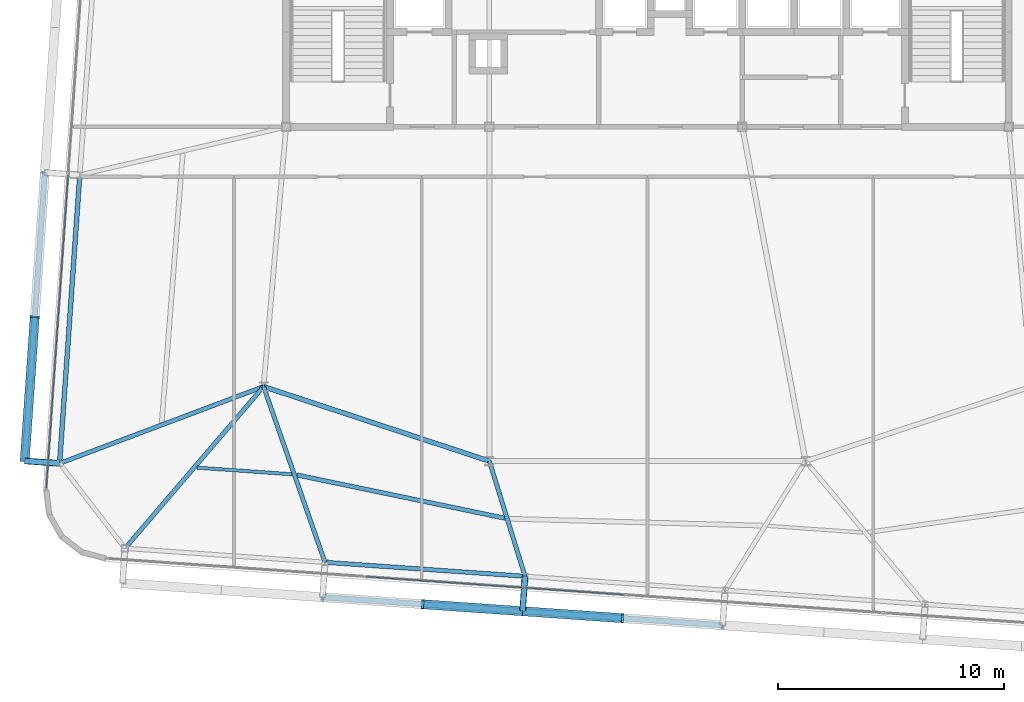
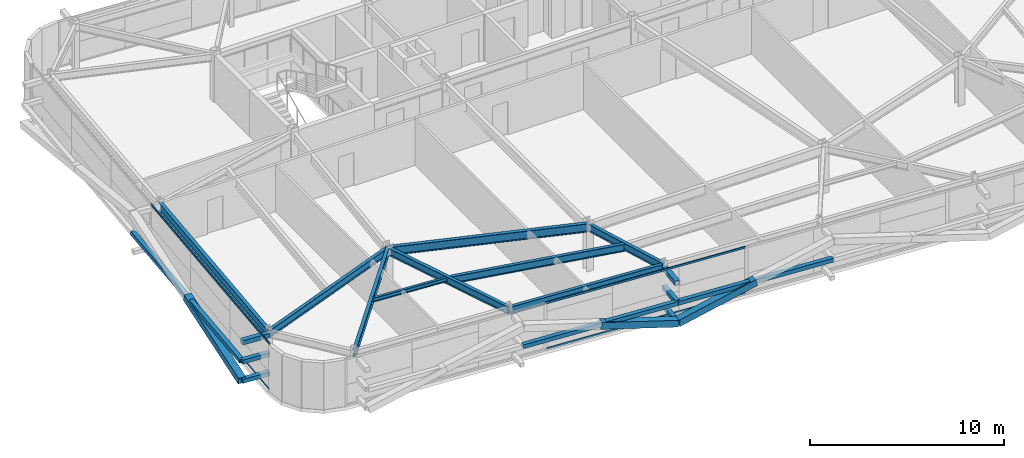
# One storey, part 8 of 39: 16 members, 9 beams, 2 elements without a shape of their own.
"""IFC4 building model written with IfcOpenShell, lengths in metres."""

from ifc_helpers import new_model, si_unit, direction, frame, origin, origin_2d, place, context, subcontext, project, spatial, hollow_rectangle, i_section, extrude, source, transform, mapped, material, layer, layer_set, material_profile, profile_set, type_object, element, aggregate, save


model = new_model("IFC4")

# Units and contexts
model_context = context("Model", 3, precision=1e-05, world=origin(), true_north=direction((0.0, 1.0)))
body_context = subcontext(model_context, "Body", "Model", "MODEL_VIEW")
ifc_project = project(units=[si_unit("LENGTHUNIT", "METRE"), si_unit("AREAUNIT", "SQUARE_METRE"), si_unit("VOLUMEUNIT", "CUBIC_METRE"), si_unit("PLANEANGLEUNIT", "RADIAN"), si_unit("MASSUNIT", "GRAM", prefix="KILO")], contexts=[model_context])

# Site, building, storey
site_placement = place(None, origin())
site = spatial("IfcSite", under=ifc_project, at=site_placement, CompositionType="ELEMENT")
building_placement = place(site_placement, origin())
building = spatial("IfcBuilding", under=site, at=building_placement, Name="Taldren Reach Tower", CompositionType="ELEMENT")
storey_placement = place(building_placement, frame((0.0, 0.0, 145.60009765625)))
storey = spatial("IfcBuildingStorey", under=building, at=storey_placement, Name="L44", CompositionType="ELEMENT", Elevation=145.60009765625)

# Beam
ifc_material_1 = material(Name="Steel Gr 350 (350PLUS)", Category="steel")
ifc_material_profile_1 = material_profile(ifc_material_1, i_section(OverallWidth=0.208984375, OverallDepth=0.532958984375, WebThickness=0.01025390625, FlangeThickness=0.015625, at=origin_2d()), Name="530UB92.4")
ifc_profile_set_1 = profile_set([ifc_material_profile_1], Name="Steel Gr 350 (350PLUS)")
beam_type_1 = type_object("IfcBeamType", Name="BM-UB530A", PredefinedType="BEAM", material=ifc_profile_set_1)
shared_shape_1 = source(origin(), body_context, "Body", "SweptSolid", [
    extrude(i_section(OverallWidth=0.208984375, OverallDepth=0.532958984375, WebThickness=0.01025390625, FlangeThickness=0.015625, at=origin_2d()), origin(), (0.0, 0.0, 1.0), 10.530517578125),
])
beam_1_placement = place(storey_placement, frame((18.0, 12.5, 2.663330078125), z_axis=(0.949627269203, -0.313381635689, 0.0), x_axis=(0.313381635689, 0.949627269203, 0.0)))
element("IfcBeam", 1, at=beam_1_placement, inside=storey, type_object=beam_type_1, Name="Core-spine girder L44-SP10", PredefinedType="BEAM", context=body_context, shape_type="MappedRepresentation", body=[
    mapped(shared_shape_1, transform((0.0, 0.0, 0.0), scale=1.0)),
])

# Members
ifc_material_2 = material(Name="Steel Gr 450 (C450L0)", Category="steel")
ifc_material_profile_2 = material_profile(ifc_material_2, hollow_rectangle(XDim=0.27490234375, YDim=0.27490234375, WallThickness=0.00927734375, at=origin_2d()), Name="275x275x9.3SHS")
ifc_profile_set_2 = profile_set([ifc_material_profile_2], Name="Steel Gr 450 (C450L0)")
member_type_1 = type_object("IfcMemberType", Name="MB-TIE273", PredefinedType="STRUT", material=ifc_profile_set_2)
shared_shape_2 = source(origin(), body_context, "Body", "SweptSolid", [
    extrude(hollow_rectangle(XDim=0.27490234375, YDim=0.27490234375, WallThickness=0.00927734375, at=origin_2d()), origin(), (0.0, 0.0, 1.0), 1.5498046875),
])
member_1_placement = place(storey_placement, frame((8.96875, 9.099609375, 2.64990234375), z_axis=(-0.997573320145, 0.069623781384, 0.0), x_axis=(-0.069623781384, -0.997573320145, 0.0)))
element("IfcMember", 2, at=member_1_placement, inside=storey, type_object=member_type_1, Name="Exoskeleton diaphragm tie strut B3-W1 L44", PredefinedType="STRUT", context=body_context, shape_type="MappedRepresentation", body=[
    mapped(shared_shape_2, transform((0.0, 0.0, 0.0), scale=1.0)),
])
ifc_material_3 = material(Name="Steel Gr 350 (C350L0)", Category="steel")
ifc_material_profile_3 = material_profile(ifc_material_3, hollow_rectangle(XDim=0.25, YDim=0.25, WallThickness=0.010009765625, at=origin_2d()), Name="250x250x10.0SHS")
ifc_profile_set_3 = profile_set([ifc_material_profile_3], Name="Steel Gr 350 (C350L0)")
member_type_2 = type_object("IfcMemberType", Name="MB-POST250", PredefinedType="POST", material=ifc_profile_set_3)
shared_shape_3 = source(origin(), body_context, "Body", "SweptSolid", [
    extrude(hollow_rectangle(XDim=0.25, YDim=0.25, WallThickness=0.010009765625, at=origin_2d()), origin(), (0.0, 0.0, 1.0), 1.5498046875),
])
for number, where, z_axis, x_axis, name in (
    (3, (8.96875, 9.099609375, 0.219970703125), (-0.997573320145, 0.069623781384, 0.0), (-0.069623781384, -0.997573320145, 0.0), "Exoskeleton base diaphragm tie strut B3-W1 L44"),
    (4, (8.96875, 9.099609375, 1.434814453125), (-0.997573320145, 0.069623781384, 0.0), (-0.069623781384, -0.997573320145, 0.0), "Exoskeleton mid-tier diaphragm tie B3-W1 L44"),
):
    element("IfcMember", number, at=place(storey_placement, frame(where, z_axis=z_axis, x_axis=x_axis)), inside=storey, type_object=member_type_2, Name=name, PredefinedType="POST", context=body_context, shape_type="MappedRepresentation", body=[
        mapped(shared_shape_3, transform((0.0, 0.0, 0.0), scale=1.0)),
    ])
shared_shape_4 = source(origin(), body_context, "Body", "SweptSolid", [
    extrude(hollow_rectangle(XDim=0.27490234375, YDim=0.27490234375, WallThickness=0.00927734375, at=origin_2d()), origin(), (0.0, 0.0, 1.0), 1.550048828125),
])
member_2_placement = place(storey_placement, frame((29.580322265625, 4.099609375, 2.64990234375), z_axis=(-0.06976957191, -0.99756313426, 0.0), x_axis=(0.99756313426, -0.06976957191, 0.0)))
element("IfcMember", 5, at=member_2_placement, inside=storey, type_object=member_type_1, Name="Exoskeleton diaphragm tie strut B3-S3 L44", PredefinedType="STRUT", context=body_context, shape_type="MappedRepresentation", body=[
    mapped(shared_shape_4, transform((0.0, 0.0, 0.0), scale=1.0)),
])
shared_shape_5 = source(origin(), body_context, "Body", "SweptSolid", [
    extrude(hollow_rectangle(XDim=0.25, YDim=0.25, WallThickness=0.010009765625, at=origin_2d()), origin(), (0.0, 0.0, 1.0), 1.550048828125),
])
for number, where, z_axis, x_axis, name in (
    (6, (29.580322265625, 4.099609375, 0.219970703125), (-0.06976957191, -0.99756313426, 0.0), (0.99756313426, -0.06976957191, 0.0), "Exoskeleton base diaphragm tie strut B3-S3 L44"),
    (7, (29.580322265625, 4.099609375, 1.434814453125), (-0.06976957191, -0.99756313426, 0.0), (0.99756313426, -0.06976957191, 0.0), "Exoskeleton mid-tier diaphragm tie B3-S3 L44"),
):
    element("IfcMember", number, at=place(storey_placement, frame(where, z_axis=z_axis, x_axis=x_axis)), inside=storey, type_object=member_type_2, Name=name, PredefinedType="POST", context=body_context, shape_type="MappedRepresentation", body=[
        mapped(shared_shape_5, transform((0.0, 0.0, 0.0), scale=1.0)),
    ])

# Beams
ifc_material_profile_4 = material_profile(ifc_material_1, i_section(OverallWidth=0.18994140625, OverallDepth=0.4541015625, WebThickness=0.008544921875, FlangeThickness=0.0126953125, at=origin_2d()), Name="460UB67.1")
ifc_profile_set_4 = profile_set([ifc_material_profile_4], Name="Steel Gr 350 (350PLUS)")
beam_type_2 = type_object("IfcBeamType", Name="SP-UB460B", PredefinedType="SPANDREL", material=ifc_profile_set_4)
shared_shape_6 = source(origin(), body_context, "Body", "SweptSolid", [
    extrude(i_section(OverallWidth=0.18994140625, OverallDepth=0.4541015625, WebThickness=0.008544921875, FlangeThickness=0.0126953125, at=origin_2d()), origin(), (0.0, 0.0, 1.0), 8.880126953125),
])
beam_2_placement = place(storey_placement, frame((20.721923828125, 4.718994140625, 2.702880859375), z_axis=(0.997564479639, -0.069750333063, 0.0), x_axis=(0.069750333063, 0.997564479639, 0.0)))
element("IfcBeam", 8, at=beam_2_placement, inside=storey, type_object=beam_type_2, Name="Perimeter spandrel B3 S2-S3 L44", PredefinedType="SPANDREL", context=body_context, shape_type="MappedRepresentation", body=[
    mapped(shared_shape_6, transform((0.0, 0.0, 0.0), scale=1.0)),
])
ifc_material_profile_5 = material_profile(ifc_material_1, i_section(OverallWidth=0.208984375, OverallDepth=0.528076171875, WebThickness=0.009521484375, FlangeThickness=0.01318359375, at=origin_2d()), Name="530UB82.0")
ifc_profile_set_5 = profile_set([ifc_material_profile_5], Name="Steel Gr 350 (350PLUS)")
beam_type_3 = type_object("IfcBeamType", Name="SP-UB530B", PredefinedType="SPANDREL", material=ifc_profile_set_5)
shared_shape_7 = source(origin(), body_context, "Body", "SweptSolid", [
    extrude(i_section(OverallWidth=0.208984375, OverallDepth=0.528076171875, WebThickness=0.009521484375, FlangeThickness=0.01318359375, at=origin_2d()), origin(), (0.0, 0.0, 1.0), 12.800048828125),
])
beam_3_placement = place(storey_placement, frame((9.86181640625, 21.868408203125, 2.666015625), z_axis=(-0.069770857464, -0.997563044348, 0.0), x_axis=(0.997563044348, -0.069770857464, 0.0)))
element("IfcBeam", 9, at=beam_3_placement, inside=storey, type_object=beam_type_3, Name="Perimeter spandrel B3 W2-W1 L44", PredefinedType="SPANDREL", context=body_context, shape_type="MappedRepresentation", body=[
    mapped(shared_shape_7, transform((0.0, 0.0, 0.0), scale=1.0)),
])
ifc_material_profile_6 = material_profile(ifc_material_1, i_section(OverallWidth=0.19091796875, OverallDepth=0.4599609375, WebThickness=0.010009765625, FlangeThickness=0.01611328125, at=origin_2d()), Name="460UB82.1")
ifc_profile_set_6 = profile_set([ifc_material_profile_6], Name="Steel Gr 350 (350PLUS)")
beam_type_4 = type_object("IfcBeamType", Name="BM-UB460A", PredefinedType="BEAM", material=ifc_profile_set_6)
shared_shape_8 = source(origin(), body_context, "Body", "SweptSolid", [
    extrude(i_section(OverallWidth=0.19091796875, OverallDepth=0.4599609375, WebThickness=0.010009765625, FlangeThickness=0.01611328125, at=origin_2d()), origin(), (0.0, 0.0, 1.0), 9.43115234375),
])
beam_4_placement = place(storey_placement, frame((18.0, 12.5, 2.699951171875), z_axis=(-0.650665584965, -0.759364402999, 0.0), x_axis=(0.759364402999, -0.650665584965, 0.0)))
element("IfcBeam", 10, at=beam_4_placement, inside=storey, type_object=beam_type_4, Name="Primary floor girder B3-S1 L44", PredefinedType="BEAM", context=body_context, shape_type="MappedRepresentation", body=[
    mapped(shared_shape_8, transform((0.0, 0.0, 0.0), scale=1.0)),
])
shared_shape_9 = source(origin(), body_context, "Body", "SweptSolid", [
    extrude(i_section(OverallWidth=0.19091796875, OverallDepth=0.4599609375, WebThickness=0.010009765625, FlangeThickness=0.01611328125, at=origin_2d()), origin(), (0.0, 0.0, 1.0), 8.243408203125),
])
beam_5_placement = place(storey_placement, frame((18.0, 12.5, 2.699951171875), z_axis=(0.330196070713, -0.943912366105, 0.0), x_axis=(0.943912366105, 0.330196070713, 0.0)))
element("IfcBeam", 11, at=beam_5_placement, inside=storey, type_object=beam_type_4, Name="Primary floor girder B3-S2 L44", PredefinedType="BEAM", context=body_context, shape_type="MappedRepresentation", body=[
    mapped(shared_shape_9, transform((0.0, 0.0, 0.0), scale=1.0)),
])
shared_shape_10 = source(origin(), body_context, "Body", "SweptSolid", [
    extrude(i_section(OverallWidth=0.19091796875, OverallDepth=0.4599609375, WebThickness=0.010009765625, FlangeThickness=0.01611328125, at=origin_2d()), origin(), (0.0, 0.0, 1.0), 5.339599609375),
])
beam_6_placement = place(storey_placement, frame((28.0, 9.199951171875, 2.699951171875), z_axis=(0.295964865482, -0.955198826632, 0.0), x_axis=(0.955198826632, 0.295964865482, 0.0)))
element("IfcBeam", 12, at=beam_6_placement, inside=storey, type_object=beam_type_4, Name="Primary floor girder B3-S3 L44", PredefinedType="BEAM", context=body_context, shape_type="MappedRepresentation", body=[
    mapped(shared_shape_10, transform((0.0, 0.0, 0.0), scale=1.0)),
])
shared_shape_11 = source(origin(), body_context, "Body", "SweptSolid", [
    extrude(i_section(OverallWidth=0.19091796875, OverallDepth=0.4599609375, WebThickness=0.010009765625, FlangeThickness=0.01611328125, at=origin_2d()), origin(), (0.0, 0.0, 1.0), 9.650146484375),
])
beam_7_placement = place(storey_placement, frame((18.0, 12.5, 2.699951171875), z_axis=(-0.935862573906, -0.352365212191, 0.0), x_axis=(0.352365212191, -0.935862573906, 0.0)))
element("IfcBeam", 13, at=beam_7_placement, inside=storey, type_object=beam_type_4, Name="Primary floor girder B3-W1 L44", PredefinedType="BEAM", context=body_context, shape_type="MappedRepresentation", body=[
    mapped(shared_shape_11, transform((0.0, 0.0, 0.0), scale=1.0)),
])
ifc_material_4 = material(Name="Steel Gr 300 (300PLUS, 300 MPa)", Category="steel")
ifc_material_profile_7 = material_profile(ifc_material_4, i_section(OverallWidth=0.14599609375, OverallDepth=0.256103515625, WebThickness=0.00634765625, FlangeThickness=0.010986328125, at=origin_2d()), Name="250UB37.3")
ifc_profile_set_7 = profile_set([ifc_material_profile_7], Name="Steel Gr 300 (300PLUS, 300 MPa)")
beam_type_5 = type_object("IfcBeamType", Name="JS-UB250", PredefinedType="JOIST", material=ifc_profile_set_7)
shared_shape_12 = source(origin(), body_context, "Body", "SweptSolid", [
    extrude(i_section(OverallWidth=0.14599609375, OverallDepth=0.256103515625, WebThickness=0.00634765625, FlangeThickness=0.010986328125, at=origin_2d()), origin(), (0.0, 0.0, 1.0), 4.217041015625),
])
beam_8_placement = place(storey_placement, frame((15.050537109375, 8.910888671875, 2.802001953125), z_axis=(0.997563683226, -0.069761722378, 0.0), x_axis=(0.069761722378, 0.997563683226, 0.0)))
element("IfcBeam", 14, at=beam_8_placement, inside=storey, type_object=beam_type_5, Name="Secondary floor joist B3 J1 L44", PredefinedType="JOIST", context=body_context, shape_type="MappedRepresentation", body=[
    mapped(shared_shape_12, transform((0.0, 0.0, 0.0), scale=1.0)),
])
shared_shape_13 = source(origin(), body_context, "Body", "SweptSolid", [
    extrude(i_section(OverallWidth=0.19091796875, OverallDepth=0.4599609375, WebThickness=0.010009765625, FlangeThickness=0.01611328125, at=origin_2d()), origin(), (0.0, 0.0, 1.0), 9.410400390625),
])
beam_9_placement = place(storey_placement, frame((19.469970703125, 8.5869140625, 2.699951171875), z_axis=(0.97907399109, -0.20350459447, 0.0), x_axis=(0.20350459447, 0.97907399109, 0.0)))
element("IfcBeam", 15, at=beam_9_placement, inside=storey, type_object=beam_type_4, Name="Secondary floor beam B3 J2 L44", PredefinedType="BEAM", context=body_context, shape_type="MappedRepresentation", body=[
    mapped(shared_shape_13, transform((0.0, 0.0, 0.0), scale=1.0)),
])

# Members
shared_shape_14 = source(origin(), body_context, "Body", "SweptSolid", [
    extrude(hollow_rectangle(XDim=0.25, YDim=0.25, WallThickness=0.010009765625, at=origin_2d()), origin(), (0.0, 0.0, 1.0), 8.880126953125),
])
for number, where, z_axis, x_axis, name in (
    (16, (20.61376953125, 3.1728515625, 1.434814453125), (0.997562566276, -0.06977769246, 0.0), (0.06977769246, 0.997562566276, 0.0), "Exoskeleton mid-height ring chord B3-S2 L44"),
    (17, (29.47216796875, 2.55322265625, 1.434814453125), (0.997564479639, -0.069750333063, 0.0), (0.069750333063, 0.997564479639, 0.0), "Exoskeleton mid-height ring chord B3-S3 L44"),
):
    element("IfcMember", number, at=place(storey_placement, frame(where, z_axis=z_axis, x_axis=x_axis)), inside=storey, type_object=member_type_2, Name=name, PredefinedType="POST", context=body_context, shape_type="MappedRepresentation", body=[
        mapped(shared_shape_14, transform((0.0, 0.0, 0.0), scale=1.0)),
    ])
shared_shape_15 = source(origin(), body_context, "Body", "SweptSolid", [
    extrude(hollow_rectangle(XDim=0.25, YDim=0.25, WallThickness=0.010009765625, at=origin_2d()), origin(), (0.0, 0.0, 1.0), 12.80029296875),
])
member_3_placement = place(storey_placement, frame((7.422607421875, 9.20751953125, 1.434814453125), z_axis=(0.069750549628, 0.997564464497, 0.0), x_axis=(-0.997564464497, 0.069750549628, 0.0)))
element("IfcMember", 18, at=member_3_placement, inside=storey, type_object=member_type_2, Name="Exoskeleton mid-height ring chord B3-W1 L44", PredefinedType="POST", context=body_context, shape_type="MappedRepresentation", body=[
    mapped(shared_shape_15, transform((0.0, 0.0, 0.0), scale=1.0)),
])
ifc_material_profile_8 = material_profile(ifc_material_2, hollow_rectangle(XDim=0.409912109375, YDim=0.409912109375, WallThickness=0.01611328125, at=origin_2d()), Name="410x410x16.0SHS")
ifc_profile_set_8 = profile_set([ifc_material_profile_8], Name="Steel Gr 450 (C450L0)")
member_type_3 = type_object("IfcMemberType", Name="MB-EXO406", PredefinedType="BRACE", material=ifc_profile_set_8)
shared_shape_16 = source(origin(), body_context, "Body", "SweptSolid", [
    extrude(hollow_rectangle(XDim=0.409912109375, YDim=0.409912109375, WallThickness=0.01611328125, at=origin_2d()), origin(), (0.0, 0.0, 1.0), 4.603271484375),
])
for number, where, z_axis, x_axis, name in (
    (19, (29.47216796875, 2.55322265625, 0.219970703125), (-0.962195820062, 0.067303852699, 0.263911718699), (-0.06977769246, -0.997562566276, 0.0), "Exoskeleton Diagrid Brace B3-S2 L44"),
    (20, (29.47216796875, 2.55322265625, 0.219970703125), (0.962199253371, -0.067251055742, 0.263912660389), (0.069722973508, 0.997566392259, 0.0), "Exoskeleton Diagrid Brace B3-S3 L44"),
):
    element("IfcMember", number, at=place(storey_placement, frame(where, z_axis=z_axis, x_axis=x_axis)), inside=storey, type_object=member_type_3, Name=name, PredefinedType="BRACE", context=body_context, shape_type="MappedRepresentation", body=[
        mapped(shared_shape_16, transform((0.0, 0.0, 0.0), scale=1.0)),
    ])
shared_shape_17 = source(origin(), body_context, "Body", "SweptSolid", [
    extrude(hollow_rectangle(XDim=0.409912109375, YDim=0.409912109375, WallThickness=0.01611328125, at=origin_2d()), origin(), (0.0, 0.0, 1.0), 6.514404296875),
])
member_4_placement = place(storey_placement, frame((7.422607421875, 9.20751953125, 0.219970703125), z_axis=(0.068545605936, 0.980063499638, 0.186486022492), x_axis=(-0.997563137195, 0.069769529958, 0.0)))
element("IfcMember", 21, at=member_4_placement, inside=storey, type_object=member_type_3, Name="Exoskeleton Diagrid Brace B3-W1 L44", PredefinedType="BRACE", context=body_context, shape_type="MappedRepresentation", body=[
    mapped(shared_shape_17, transform((0.0, 0.0, 0.0), scale=1.0)),
])

# Curtain wall, members
ifc_material_5 = material(Name="Aluminium and Low-E Glass Unitised System", Category="aluminium")
ifc_layer = layer(ifc_material_5, 0.159912109375)
ifc_layer_set = layer_set([ifc_layer], Name="Aluminium and Low-E Glass Unitised System")
curtain_wall_type = type_object("IfcCurtainWallType", Name="CW-SYS-4", PredefinedType="NOTDEFINED", material=ifc_layer_set)
curtain_wall_1_placement = place(storey_placement, origin())
curtain_wall_1 = element("IfcCurtainWall", 22, at=curtain_wall_1_placement, inside=storey, type_object=curtain_wall_type, Name="Unitised curtain wall CW-L44-S", PredefinedType="NOTDEFINED")
ifc_material_6 = material(Name="Anodised Aluminium 6063-T6", Category="aluminium")
ifc_material_profile_9 = material_profile(ifc_material_6, hollow_rectangle(XDim=0.054931640625, YDim=0.1201171875, WallThickness=0.0029296875, at=origin_2d()), Name="ALU-120x55x3RHS")
ifc_profile_set_9 = profile_set([ifc_material_profile_9], Name="Anodised Aluminium 6063-T6")
member_type_4 = type_object("IfcMemberType", Name="CW-TRN-135", PredefinedType="USERDEFINED", material=ifc_profile_set_9)
shared_shape_18 = source(origin(), body_context, "Body", "SweptSolid", [
    extrude(hollow_rectangle(XDim=0.054931640625, YDim=0.1201171875, WallThickness=0.0029296875, at=origin_2d()), origin(), (0.0, 0.0, 1.0), 11.429931640625),
])
member_5_placement = place(storey_placement, frame((22.536865234375, 4.080810546875, 0.02734375), z_axis=(0.997563740938, -0.069760897114, 0.0), x_axis=(0.069760897114, 0.997563740938, 0.0)))
member_5 = element("IfcMember", 23, at=member_5_placement, type_object=member_type_4, Name="CW-4 transom 2.1", ObjectType="TRANSOM", PredefinedType="USERDEFINED", context=body_context, shape_type="MappedRepresentation", body=[
    mapped(shared_shape_18, transform((0.0, 0.0, 0.0), scale=1.0)),
])
member_6_placement = place(storey_placement, frame((22.536865234375, 4.080810546875, 2.90234375), z_axis=(0.997563740938, -0.069760897114, 0.0), x_axis=(0.069760897114, 0.997563740938, 0.0)))
member_6 = element("IfcMember", 24, at=member_6_placement, type_object=member_type_4, Name="CW-4 transom 2.2", ObjectType="TRANSOM", PredefinedType="USERDEFINED", context=body_context, shape_type="MappedRepresentation", body=[
    mapped(shared_shape_18, transform((0.0, 0.0, 0.0), scale=1.0)),
])
aggregate(curtain_wall_1, [member_5, member_6])

curtain_wall_2_placement = place(storey_placement, origin())
curtain_wall_2 = element("IfcCurtainWall", 25, at=curtain_wall_2_placement, inside=storey, type_object=curtain_wall_type, Name="Unitised curtain wall CW-L44-W", PredefinedType="NOTDEFINED")
shared_shape_19 = source(origin(), body_context, "Body", "SweptSolid", [
    extrude(hollow_rectangle(XDim=0.054931640625, YDim=0.1201171875, WallThickness=0.0029296875, at=origin_2d()), origin(), (0.0, 0.0, 1.0), 13.89501953125),
])
member_7_placement = place(storey_placement, frame((9.3505859375, 21.868896484375, 0.02734375), z_axis=(-0.069754817075, -0.997564166104, 0.0), x_axis=(0.997564166104, -0.069754817075, 0.0)))
member_7 = element("IfcMember", 26, at=member_7_placement, type_object=member_type_4, Name="CW-4 transom 2.1", ObjectType="TRANSOM", PredefinedType="USERDEFINED", context=body_context, shape_type="MappedRepresentation", body=[
    mapped(shared_shape_19, transform((0.0, 0.0, 0.0), scale=1.0)),
])
member_8_placement = place(storey_placement, frame((9.3505859375, 21.868896484375, 2.90234375), z_axis=(-0.069754817075, -0.997564166104, 0.0), x_axis=(0.997564166104, -0.069754817075, 0.0)))
member_8 = element("IfcMember", 27, at=member_8_placement, type_object=member_type_4, Name="CW-4 transom 2.2", ObjectType="TRANSOM", PredefinedType="USERDEFINED", context=body_context, shape_type="MappedRepresentation", body=[
    mapped(shared_shape_19, transform((0.0, 0.0, 0.0), scale=1.0)),
])
aggregate(curtain_wall_2, [member_7, member_8])

save(model, "model.ifc")
